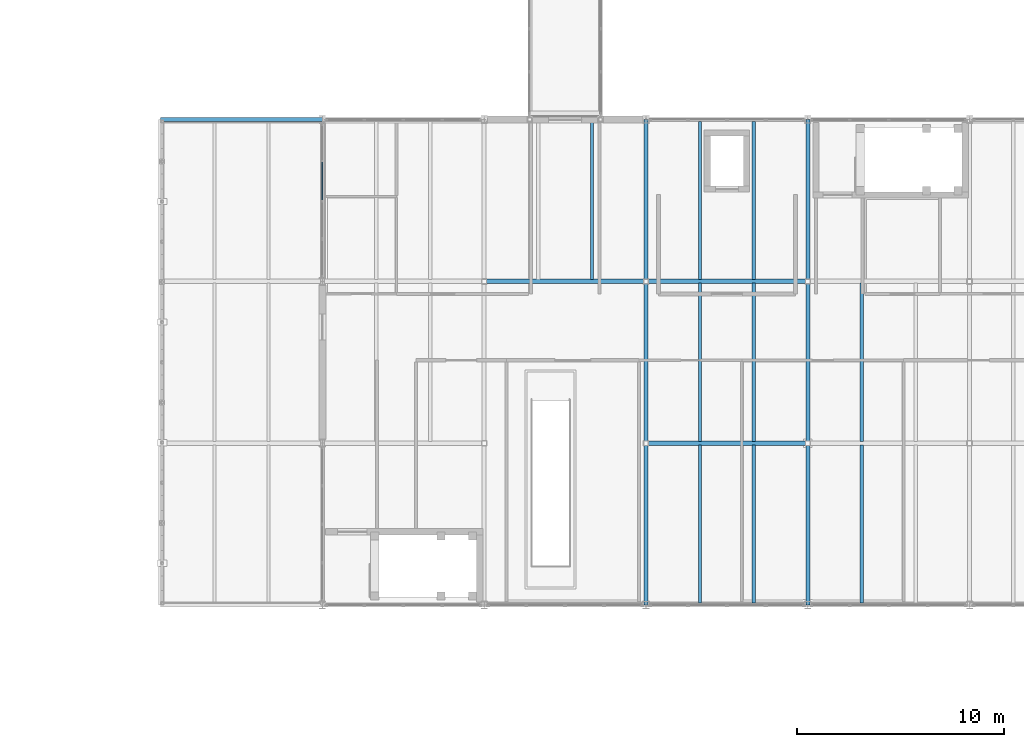
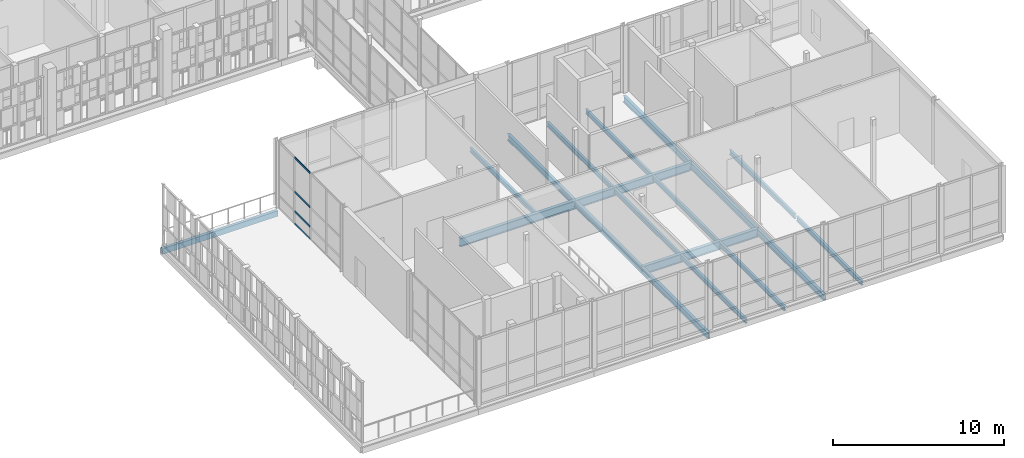
# One storey, part 66 of 138: 19 beams, 4 members, 1 element without a shape of its own.
"""IFC4 building model written with IfcOpenShell, lengths in metres."""

from ifc_helpers import new_model, si_unit, direction, frame, origin, origin_2d, place, context, subcontext, project, spatial, rectangle, hollow_rectangle, i_section, extrude, material, layer, layer_set, material_profile, profile_set, type_object, element, aggregate, save


model = new_model("IFC4")

# Units and contexts
model_context = context("Model", 3, precision=1e-05, world=origin(), true_north=direction((0.0, 1.0)))
body_context = subcontext(model_context, "Body", "Model", "MODEL_VIEW")
ifc_project = project(units=[si_unit("LENGTHUNIT", "METRE"), si_unit("AREAUNIT", "SQUARE_METRE"), si_unit("VOLUMEUNIT", "CUBIC_METRE"), si_unit("PLANEANGLEUNIT", "RADIAN"), si_unit("MASSUNIT", "GRAM", prefix="KILO")], contexts=[model_context])

# Site, building, storey
site_placement = place(None, origin())
site = spatial("IfcSite", under=ifc_project, at=site_placement, CompositionType="ELEMENT")
building_placement = place(site_placement, origin())
building = spatial("IfcBuilding", under=site, at=building_placement, Name="Celorna Specialist Clinic", CompositionType="ELEMENT")
storey_placement = place(building_placement, frame((0.0, 0.0, 4.800048828125)))
storey = spatial("IfcBuildingStorey", under=building, at=storey_placement, Name="L01", CompositionType="ELEMENT", Elevation=4.800048828125)

# Beams
ifc_material_1 = material(Name="Steel S355", Category="steel")
ifc_material_profile_1 = material_profile(ifc_material_1, i_section(OverallWidth=0.219970703125, OverallDepth=0.60009765625, WebThickness=0.011962890625, FlangeThickness=0.01904296875, at=origin_2d()), Name="IPE 600")
ifc_profile_set_1 = profile_set([ifc_material_profile_1], Name="Steel S355")
beam_type_1 = type_object("IfcBeamType", Name="BM-06", PredefinedType="BEAM", material=ifc_profile_set_1)
for number, where, z_axis, x_axis, name in (
    (1, (148.199951171875, 67.800048828125, -0.56005859375), (1.0, 0.0, 0.0), (0.0, 1.0, 0.0), "Primary girder BM-06 #616"),
    (2, (140.39990234375, 75.60009765625, -0.56005859375), (1.0, 0.0, 0.0), (0.0, 1.0, 0.0), "Primary girder BM-06 #620"),
    (3, (148.199951171875, 75.60009765625, -0.56005859375), (1.0, 0.0, 0.0), (0.0, 1.0, 0.0), "Primary girder BM-06 #621"),
):
    element("IfcBeam", number, at=place(storey_placement, frame(where, z_axis=z_axis, x_axis=x_axis)), inside=storey, type_object=beam_type_1, Name=name, PredefinedType="BEAM", context=body_context, shape_type="SweptSolid", body=[
        extrude(i_section(OverallWidth=0.219970703125, OverallDepth=0.60009765625, WebThickness=0.011962890625, FlangeThickness=0.01904296875, at=origin_2d()), origin(), (0.0, 0.0, 1.0), 7.800048828125),
    ])
ifc_material_profile_2 = material_profile(ifc_material_1, i_section(OverallWidth=0.18994140625, OverallDepth=0.449951171875, WebThickness=0.009521484375, FlangeThickness=0.0146484375, at=origin_2d()), Name="IPE 450")
ifc_profile_set_2 = profile_set([ifc_material_profile_2], Name="Steel S355")
beam_type_2 = type_object("IfcBeamType", Name="BM-09", PredefinedType="BEAM", material=ifc_profile_set_2)
for number, where, z_axis, x_axis, name in (
    (4, (148.199951171875, 60.0, -0.485107421875), (0.0, 1.0, 0.0), (-1.0, 0.0, 0.0), "Transverse girder BM-09 #635"),
    (5, (148.199951171875, 67.800048828125, -0.485107421875), (0.0, 1.0, 0.0), (-1.0, 0.0, 0.0), "Transverse girder BM-09 #636"),
):
    element("IfcBeam", number, at=place(storey_placement, frame(where, z_axis=z_axis, x_axis=x_axis)), inside=storey, type_object=beam_type_2, Name=name, PredefinedType="BEAM", context=body_context, shape_type="SweptSolid", body=[
        extrude(i_section(OverallWidth=0.18994140625, OverallDepth=0.449951171875, WebThickness=0.009521484375, FlangeThickness=0.0146484375, at=origin_2d()), origin(), (0.0, 0.0, 1.0), 7.800048828125),
    ])
beam_1_placement = place(storey_placement, frame((148.199951171875, 75.60009765625, -0.485107421875), z_axis=(0.0, 1.0, 0.0), x_axis=(-1.0, 0.0, 0.0)))
element("IfcBeam", 6, at=beam_1_placement, inside=storey, type_object=beam_type_2, Name="Transverse girder BM-09 #637", PredefinedType="BEAM", context=body_context, shape_type="SweptSolid", body=[
    extrude(i_section(OverallWidth=0.18994140625, OverallDepth=0.449951171875, WebThickness=0.009521484375, FlangeThickness=0.0146484375, at=origin_2d()), origin(), (0.0, 0.0, 1.0), 7.7998046875),
])
for number, where, z_axis, x_axis, name in (
    (7, (156.0, 60.0, -0.485107421875), (0.0, 1.0, 0.0), (-1.0, 0.0, 0.0), "Transverse girder BM-09 #638"),
    (8, (156.0, 67.800048828125, -0.485107421875), (0.0, 1.0, 0.0), (-1.0, 0.0, 0.0), "Transverse girder BM-09 #639"),
):
    element("IfcBeam", number, at=place(storey_placement, frame(where, z_axis=z_axis, x_axis=x_axis)), inside=storey, type_object=beam_type_2, Name=name, PredefinedType="BEAM", context=body_context, shape_type="SweptSolid", body=[
        extrude(i_section(OverallWidth=0.18994140625, OverallDepth=0.449951171875, WebThickness=0.009521484375, FlangeThickness=0.0146484375, at=origin_2d()), origin(), (0.0, 0.0, 1.0), 7.800048828125),
    ])
beam_2_placement = place(storey_placement, frame((156.0, 75.60009765625, -0.485107421875), z_axis=(0.0, 1.0, 0.0), x_axis=(-1.0, 0.0, 0.0)))
element("IfcBeam", 9, at=beam_2_placement, inside=storey, type_object=beam_type_2, Name="Transverse girder BM-09 #640", PredefinedType="BEAM", context=body_context, shape_type="SweptSolid", body=[
    extrude(i_section(OverallWidth=0.18994140625, OverallDepth=0.449951171875, WebThickness=0.009521484375, FlangeThickness=0.0146484375, at=origin_2d()), origin(), (0.0, 0.0, 1.0), 7.7998046875),
])
ifc_material_profile_3 = material_profile(ifc_material_1, i_section(OverallWidth=0.159912109375, OverallDepth=0.330078125, WebThickness=0.007568359375, FlangeThickness=0.011474609375, at=origin_2d()), Name="IPE 330")
ifc_profile_set_3 = profile_set([ifc_material_profile_3], Name="Steel S355")
beam_type_3 = type_object("IfcBeamType", Name="BM-12", PredefinedType="JOIST", material=ifc_profile_set_3)
for number, where, z_axis, x_axis, name in (
    (10, (145.60009765625, 75.68798828125, -0.425048828125), (0.0, 1.0, 0.0), (-1.0, 0.0, 0.0), "Secondary floor joist BM-12 #652"),
    (11, (150.800048828125, 60.087890625, -0.425048828125), (0.0, 1.0, 0.0), (-1.0, 0.0, 0.0), "Secondary floor joist BM-12 #653"),
    (12, (153.39990234375, 60.087890625, -0.425048828125), (0.0, 1.0, 0.0), (-1.0, 0.0, 0.0), "Secondary floor joist BM-12 #654"),
    (13, (150.800048828125, 67.887939453125, -0.425048828125), (0.0, 1.0, 0.0), (-1.0, 0.0, 0.0), "Secondary floor joist BM-12 #655"),
    (14, (153.39990234375, 67.887939453125, -0.425048828125), (0.0, 1.0, 0.0), (-1.0, 0.0, 0.0), "Secondary floor joist BM-12 #656"),
    (15, (150.800048828125, 75.68798828125, -0.425048828125), (0.0, 1.0, 0.0), (-1.0, 0.0, 0.0), "Secondary floor joist BM-12 #657"),
    (16, (153.39990234375, 75.68798828125, -0.425048828125), (0.0, 1.0, 0.0), (-1.0, 0.0, 0.0), "Secondary floor joist BM-12 #658"),
    (17, (158.60009765625, 60.087890625, -0.425048828125), (0.0, 1.0, 0.0), (-1.0, 0.0, 0.0), "Secondary floor joist BM-12 #659"),
    (18, (158.60009765625, 67.887939453125, -0.425048828125), (0.0, 1.0, 0.0), (-1.0, 0.0, 0.0), "Secondary floor joist BM-12 #661"),
):
    element("IfcBeam", number, at=place(storey_placement, frame(where, z_axis=z_axis, x_axis=x_axis)), inside=storey, type_object=beam_type_3, Name=name, PredefinedType="JOIST", context=body_context, shape_type="SweptSolid", body=[
        extrude(i_section(OverallWidth=0.159912109375, OverallDepth=0.330078125, WebThickness=0.007568359375, FlangeThickness=0.011474609375, at=origin_2d()), origin(), (0.0, 0.0, 1.0), 7.6240234375),
    ])
ifc_material_profile_4 = material_profile(ifc_material_1, hollow_rectangle(XDim=0.199951171875, YDim=0.39990234375, WallThickness=0.011962890625, at=origin_2d()), Name="RHS 200x400x12")
ifc_profile_set_4 = profile_set([ifc_material_profile_4], Name="Steel S355")
beam_type_4 = type_object("IfcBeamType", Name="BM-15", PredefinedType="SPANDREL", material=ifc_profile_set_4)
beam_3_placement = place(storey_placement, frame((124.800048828125, 83.39990234375, -0.4599609375), z_axis=(1.0, 0.0, 0.0), x_axis=(0.0, 1.0, 0.0)))
element("IfcBeam", 19, at=beam_3_placement, inside=storey, type_object=beam_type_4, Name="Spandrel beam BM-15 #2237", PredefinedType="SPANDREL", context=body_context, shape_type="SweptSolid", body=[
    extrude(hollow_rectangle(XDim=0.199951171875, YDim=0.39990234375, WallThickness=0.011962890625, at=origin_2d()), origin(), (0.0, 0.0, 1.0), 7.800048828125),
])

# Curtain wall, members
ifc_material_2 = material(Name="Thermally broken aluminium and solar-control glass curtain wall", Category="aluminium")
ifc_layer = layer(ifc_material_2, 0.159912109375, Name="Thermally broken aluminium and solar-control glass curtain wall")
ifc_layer_set = layer_set([ifc_layer], Name="Thermally broken aluminium and solar-control glass curtain wall")
curtain_wall_type = type_object("IfcCurtainWallType", Name="CW-45", PredefinedType="NOTDEFINED", material=ifc_layer_set)
curtain_wall_placement = place(storey_placement, origin())
curtain_wall = element("IfcCurtainWall", 20, at=curtain_wall_placement, inside=storey, type_object=curtain_wall_type, Name="Curtain wall CW-45 #85", PredefinedType="NOTDEFINED")
ifc_material_3 = material(Name="Anodized aluminium transom", Category="aluminium")
ifc_material_profile_5 = material_profile(ifc_material_3, rectangle(XDim=0.050048828125, YDim=0.1298828125, at=origin_2d()), Name="ALU TRANSOM 50x130")
ifc_profile_set_5 = profile_set([ifc_material_profile_5], Name="Anodized aluminium transom")
member_type = type_object("IfcMemberType", Name="TR-01", PredefinedType="USERDEFINED", material=ifc_profile_set_5)
member_1_placement = place(storey_placement, frame((132.60009765625, 79.52490234375, 0.02490234375), z_axis=(0.0, 1.0, 0.0), x_axis=(-1.0, 0.0, 0.0)))
member_1 = element("IfcMember", 21, at=member_1_placement, type_object=member_type, Name="CW-45 transom 3.1", ObjectType="TRANSOM", PredefinedType="USERDEFINED", context=body_context, shape_type="SweptSolid", body=[
    extrude(rectangle(XDim=0.050048828125, YDim=0.1298828125, at=origin_2d()), origin(), (0.0, 0.0, 1.0), 1.80810546875),
])
member_2_placement = place(storey_placement, frame((132.60009765625, 79.52490234375, 0.89990234375), z_axis=(0.0, 1.0, 0.0), x_axis=(-1.0, 0.0, 0.0)))
member_2 = element("IfcMember", 22, at=member_2_placement, type_object=member_type, Name="CW-45 transom 3.2", ObjectType="TRANSOM", PredefinedType="USERDEFINED", context=body_context, shape_type="SweptSolid", body=[
    extrude(rectangle(XDim=0.050048828125, YDim=0.1298828125, at=origin_2d()), origin(), (0.0, 0.0, 1.0), 1.80810546875),
])
member_3_placement = place(storey_placement, frame((132.60009765625, 79.52490234375, 2.300048828125), z_axis=(0.0, 1.0, 0.0), x_axis=(-1.0, 0.0, 0.0)))
member_3 = element("IfcMember", 23, at=member_3_placement, type_object=member_type, Name="CW-45 transom 3.3", ObjectType="TRANSOM", PredefinedType="USERDEFINED", context=body_context, shape_type="SweptSolid", body=[
    extrude(rectangle(XDim=0.050048828125, YDim=0.1298828125, at=origin_2d()), origin(), (0.0, 0.0, 1.0), 1.80810546875),
])
member_4_placement = place(storey_placement, frame((132.60009765625, 79.52490234375, 4.724853515625), z_axis=(0.0, 1.0, 0.0), x_axis=(-1.0, 0.0, 0.0)))
member_4 = element("IfcMember", 24, at=member_4_placement, type_object=member_type, Name="CW-45 transom 3.4", ObjectType="TRANSOM", PredefinedType="USERDEFINED", context=body_context, shape_type="SweptSolid", body=[
    extrude(rectangle(XDim=0.050048828125, YDim=0.1298828125, at=origin_2d()), origin(), (0.0, 0.0, 1.0), 1.80810546875),
])
aggregate(curtain_wall, [member_1, member_2, member_3, member_4])

save(model, "model.ifc")
